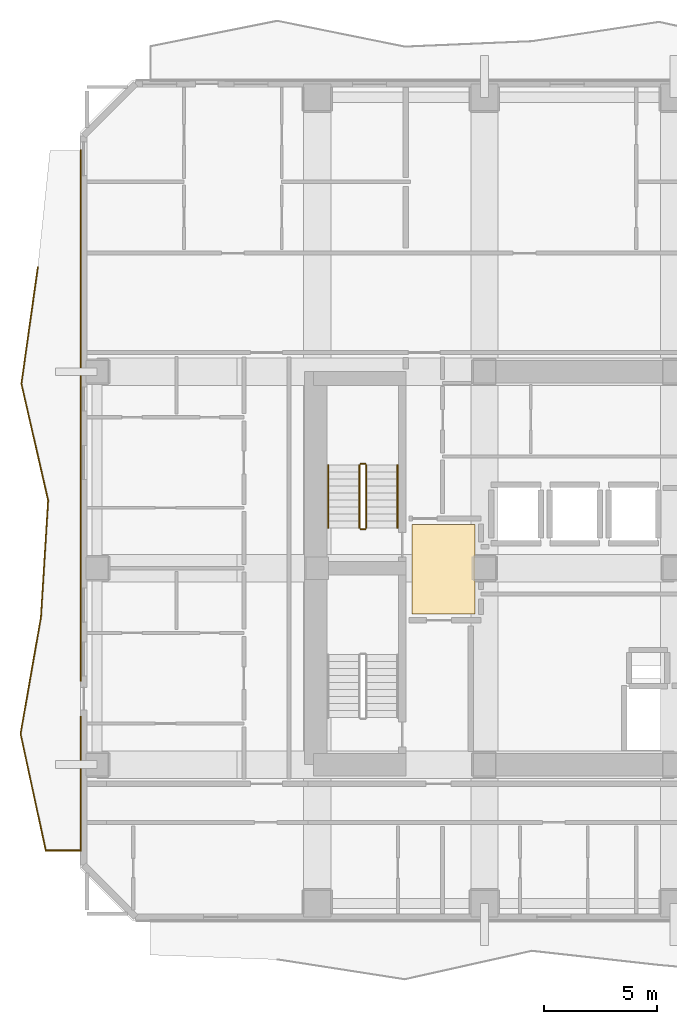
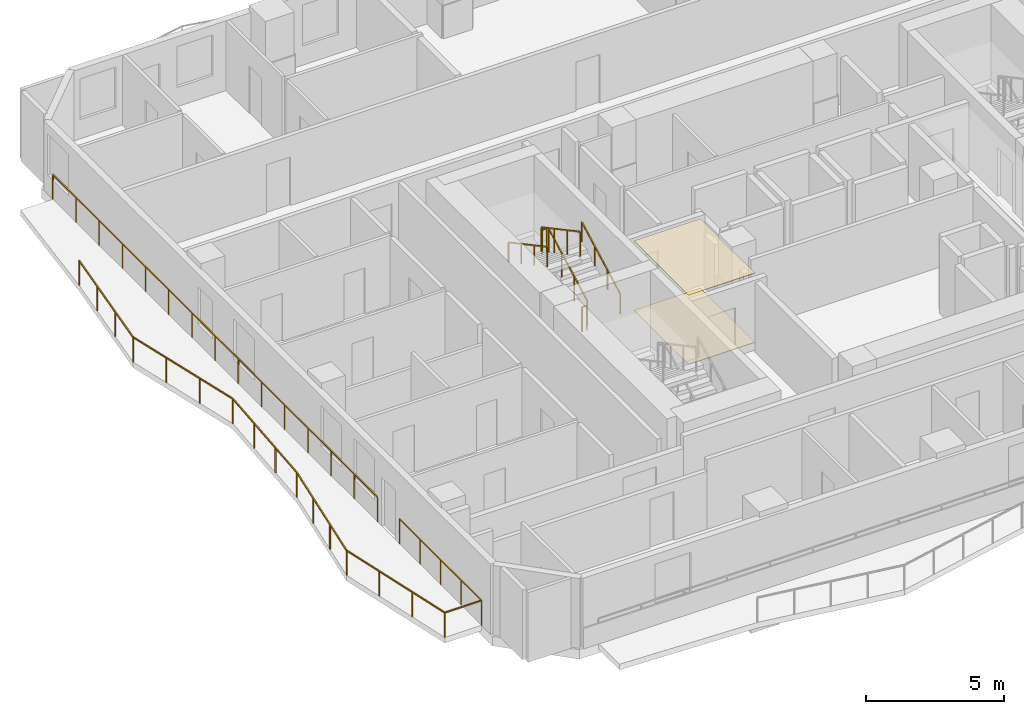
# One storey, part 9 of 11: 8 railings, 2 coverings.
"""IFC4 building model written with IfcOpenShell, lengths in metres."""

from ifc_helpers import new_model, si_unit, direction, frame, origin, origin_2d, place, context, subcontext, project, spatial, polyline, rectangle, outline, extrude, material, layer, layer_set, type_object, element, save


model = new_model("IFC4")

# Units and contexts
model_context = context("Model", 3, precision=1e-05, world=origin(), true_north=direction((0.0, 1.0)))
body_context = subcontext(model_context, "Body", "Model", "MODEL_VIEW")
ifc_project = project(units=[si_unit("LENGTHUNIT", "METRE"), si_unit("AREAUNIT", "SQUARE_METRE"), si_unit("VOLUMEUNIT", "CUBIC_METRE"), si_unit("PLANEANGLEUNIT", "RADIAN"), si_unit("MASSUNIT", "GRAM", prefix="KILO")], contexts=[model_context])

# Site, building, storey
site_placement = place(None, origin())
site = spatial("IfcSite", under=ifc_project, at=site_placement, CompositionType="ELEMENT")
building_placement = place(site_placement, origin())
building = spatial("IfcBuilding", under=site, at=building_placement, Name="Solanera Arch Residences", CompositionType="ELEMENT")
storey_placement = place(building_placement, frame((0.0, 0.0, 165.840087890625)))
storey = spatial("IfcBuildingStorey", under=building, at=storey_placement, Name="L48", CompositionType="ELEMENT", Elevation=165.840087890625)

# Railings
ifc_material_1 = material(Name="Steel S355 (ASTM A992 / A572 Grade 50)", Category="steel")
railing_type_1 = type_object("IfcRailingType", Name="Balustrade Railing BL-1100", PredefinedType="BALUSTRADE", material=ifc_material_1)
railing_1_placement = place(storey_placement, frame((1.02490234375, 44.032958984375, 0.0)))
element("IfcRailing", 1, at=railing_1_placement, inside=storey, type_object=railing_type_1, Name="L48 W Balcony Balustrade 1", PredefinedType="BALUSTRADE", context=body_context, shape_type="SweptSolid", body=[
    extrude(rectangle(XDim=0.048095703125, YDim=0.048095703125, at=origin_2d()), frame((0.0, 0.0, 1.09619140625), z_axis=(-0.13950148257, -0.990221862191, 0.0), x_axis=(0.990221862191, -0.13950148257, 0.0)), (0.0, 0.0, 1.0), 5.217041015625),
    extrude(rectangle(XDim=0.048095703125, YDim=0.048095703125, at=origin_2d()), frame((-0.727783203125, -5.166015625, 1.09619140625), z_axis=(0.223328750941, -0.97474318105, 0.0), x_axis=(0.97474318105, 0.223328750941, 0.0)), (0.0, 0.0, 1.0), 5.30078125),
    extrude(rectangle(XDim=0.048095703125, YDim=0.048095703125, at=origin_2d()), frame((0.4560546875, -10.3330078125, 1.09619140625), z_axis=(-0.061591404745, -0.998101447179, 0.0), x_axis=(0.998101447179, -0.061591404745, 0.0)), (0.0, 0.0, 1.0), 5.1767578125),
    extrude(rectangle(XDim=0.048095703125, YDim=0.048095703125, at=origin_2d()), frame((0.13720703125, -15.5, 1.09619140625), z_axis=(-0.172018950926, -0.985093640484, 0.0), x_axis=(0.985093640484, -0.172018950926, 0.0)), (0.0, 0.0, 1.0), 5.244140625),
    extrude(rectangle(XDim=0.048095703125, YDim=0.048095703125, at=origin_2d()), frame((-0.764892578125, -20.666015625, 1.09619140625), z_axis=(0.211288671614, -0.977423704054, 0.0), x_axis=(0.977423704054, 0.211288671614, 0.0)), (0.0, 0.0, 1.0), 5.286376953125),
    extrude(rectangle(XDim=0.048095703125, YDim=0.048095703125, at=origin_2d()), frame((0.35205078125, -25.8330078125, 1.09619140625), z_axis=(1.0, 0.0, 0.0), x_axis=(0.0, 1.0, 0.0)), (0.0, 0.0, 1.0), 1.54296875),
    extrude(rectangle(XDim=0.048095703125, YDim=0.048095703125, at=origin_2d()), frame((1.89501953125, -25.8330078125, 1.09619140625), z_axis=(0.0, 1.0, 0.0), x_axis=(-1.0, 0.0, 0.0)), (0.0, 0.0, 1.0), 5.926025390625),
    extrude(rectangle(XDim=0.0419921875, YDim=0.0419921875, at=origin_2d()), origin(), (0.0, 0.0, 1.0), 1.072021484375),
    extrude(rectangle(XDim=0.0419921875, YDim=0.0419921875, at=origin_2d()), frame((-0.24267578125, -1.721923828125, 0.0)), (0.0, 0.0, 1.0), 1.072021484375),
    extrude(rectangle(XDim=0.0419921875, YDim=0.0419921875, at=origin_2d()), frame((-0.485107421875, -3.444091796875, 0.0)), (0.0, 0.0, 1.0), 1.072021484375),
    extrude(rectangle(XDim=0.0419921875, YDim=0.0419921875, at=origin_2d()), frame((-0.727783203125, -5.166015625, 0.0)), (0.0, 0.0, 1.0), 1.072021484375),
    extrude(rectangle(XDim=0.0419921875, YDim=0.0419921875, at=origin_2d()), frame((-0.333251953125, -6.888427734375, 0.0)), (0.0, 0.0, 1.0), 1.072021484375),
    extrude(rectangle(XDim=0.0419921875, YDim=0.0419921875, at=origin_2d()), frame((0.0615234375, -8.610595703125, 0.0)), (0.0, 0.0, 1.0), 1.072021484375),
    extrude(rectangle(XDim=0.0419921875, YDim=0.0419921875, at=origin_2d()), frame((0.4560546875, -10.3330078125, 0.0)), (0.0, 0.0, 1.0), 1.072021484375),
    extrude(rectangle(XDim=0.0419921875, YDim=0.0419921875, at=origin_2d()), frame((0.349853515625, -12.055419921875, 0.0)), (0.0, 0.0, 1.0), 1.072021484375),
    extrude(rectangle(XDim=0.0419921875, YDim=0.0419921875, at=origin_2d()), frame((0.243408203125, -13.777587890625, 0.0)), (0.0, 0.0, 1.0), 1.072021484375),
    extrude(rectangle(XDim=0.0419921875, YDim=0.0419921875, at=origin_2d()), frame((0.13720703125, -15.5, 0.0)), (0.0, 0.0, 1.0), 1.072021484375),
    extrude(rectangle(XDim=0.0419921875, YDim=0.0419921875, at=origin_2d()), frame((-0.16357421875, -17.221923828125, 0.0)), (0.0, 0.0, 1.0), 1.072021484375),
    extrude(rectangle(XDim=0.0419921875, YDim=0.0419921875, at=origin_2d()), frame((-0.464111328125, -18.944091796875, 0.0)), (0.0, 0.0, 1.0), 1.072021484375),
    extrude(rectangle(XDim=0.0419921875, YDim=0.0419921875, at=origin_2d()), frame((-0.764892578125, -20.666015625, 0.0)), (0.0, 0.0, 1.0), 1.072021484375),
    extrude(rectangle(XDim=0.0419921875, YDim=0.0419921875, at=origin_2d()), frame((-0.392578125, -22.388427734375, 0.0)), (0.0, 0.0, 1.0), 1.072021484375),
    extrude(rectangle(XDim=0.0419921875, YDim=0.0419921875, at=origin_2d()), frame((-0.020263671875, -24.110595703125, 0.0)), (0.0, 0.0, 1.0), 1.072021484375),
    extrude(rectangle(XDim=0.0419921875, YDim=0.0419921875, at=origin_2d()), frame((0.35205078125, -25.8330078125, 0.0)), (0.0, 0.0, 1.0), 1.072021484375),
    extrude(rectangle(XDim=0.0419921875, YDim=0.0419921875, at=origin_2d()), frame((1.89501953125, -25.8330078125, 0.0)), (0.0, 0.0, 1.0), 1.072021484375),
    extrude(rectangle(XDim=0.0419921875, YDim=0.0419921875, at=origin_2d()), frame((1.89501953125, -24.3515625, 0.0)), (0.0, 0.0, 1.0), 1.072021484375),
    extrude(rectangle(XDim=0.0419921875, YDim=0.0419921875, at=origin_2d()), frame((1.89501953125, -22.8701171875, 0.0)), (0.0, 0.0, 1.0), 1.072021484375),
    extrude(rectangle(XDim=0.0419921875, YDim=0.0419921875, at=origin_2d()), frame((1.89501953125, -21.388427734375, 0.0)), (0.0, 0.0, 1.0), 1.072021484375),
    extrude(rectangle(XDim=0.0419921875, YDim=0.0419921875, at=origin_2d()), frame((1.89501953125, -19.906982421875, 0.0)), (0.0, 0.0, 1.0), 1.072021484375),
])
railing_2_placement = place(storey_placement, frame((2.919921875, 25.72607421875, 0.0)))
element("IfcRailing", 2, at=railing_2_placement, inside=storey, type_object=railing_type_1, Name="L48 W Balcony Balustrade 2", PredefinedType="BALUSTRADE", context=body_context, shape_type="SweptSolid", body=[
    extrude(rectangle(XDim=0.048095703125, YDim=0.048095703125, at=origin_2d()), frame((0.0, 0.0, 1.09619140625), z_axis=(0.0, 1.0, 0.0), x_axis=(-1.0, 0.0, 0.0)), (0.0, 0.0, 1.0), 23.473876953125),
    extrude(rectangle(XDim=0.0419921875, YDim=0.0419921875, at=origin_2d()), origin(), (0.0, 0.0, 1.0), 1.072021484375),
    extrude(rectangle(XDim=0.0419921875, YDim=0.0419921875, at=origin_2d()), frame((0.0, 1.6767578125, 0.0)), (0.0, 0.0, 1.0), 1.072021484375),
    extrude(rectangle(XDim=0.0419921875, YDim=0.0419921875, at=origin_2d()), frame((0.0, 3.353515625, 0.0)), (0.0, 0.0, 1.0), 1.072021484375),
    extrude(rectangle(XDim=0.0419921875, YDim=0.0419921875, at=origin_2d()), frame((0.0, 5.030029296875, 0.0)), (0.0, 0.0, 1.0), 1.072021484375),
    extrude(rectangle(XDim=0.0419921875, YDim=0.0419921875, at=origin_2d()), frame((0.0, 6.706787109375, 0.0)), (0.0, 0.0, 1.0), 1.072021484375),
    extrude(rectangle(XDim=0.0419921875, YDim=0.0419921875, at=origin_2d()), frame((0.0, 8.383544921875, 0.0)), (0.0, 0.0, 1.0), 1.072021484375),
    extrude(rectangle(XDim=0.0419921875, YDim=0.0419921875, at=origin_2d()), frame((0.0, 10.060302734375, 0.0)), (0.0, 0.0, 1.0), 1.072021484375),
    extrude(rectangle(XDim=0.0419921875, YDim=0.0419921875, at=origin_2d()), frame((0.0, 11.73681640625, 0.0)), (0.0, 0.0, 1.0), 1.072021484375),
    extrude(rectangle(XDim=0.0419921875, YDim=0.0419921875, at=origin_2d()), frame((0.0, 13.41357421875, 0.0)), (0.0, 0.0, 1.0), 1.072021484375),
    extrude(rectangle(XDim=0.0419921875, YDim=0.0419921875, at=origin_2d()), frame((0.0, 15.09033203125, 0.0)), (0.0, 0.0, 1.0), 1.072021484375),
    extrude(rectangle(XDim=0.0419921875, YDim=0.0419921875, at=origin_2d()), frame((0.0, 16.76708984375, 0.0)), (0.0, 0.0, 1.0), 1.072021484375),
    extrude(rectangle(XDim=0.0419921875, YDim=0.0419921875, at=origin_2d()), frame((0.0, 18.44384765625, 0.0)), (0.0, 0.0, 1.0), 1.072021484375),
    extrude(rectangle(XDim=0.0419921875, YDim=0.0419921875, at=origin_2d()), frame((0.0, 20.120361328125, 0.0)), (0.0, 0.0, 1.0), 1.072021484375),
    extrude(rectangle(XDim=0.0419921875, YDim=0.0419921875, at=origin_2d()), frame((0.0, 21.797119140625, 0.0)), (0.0, 0.0, 1.0), 1.072021484375),
    extrude(rectangle(XDim=0.0419921875, YDim=0.0419921875, at=origin_2d()), frame((0.0, 23.473876953125, 0.0)), (0.0, 0.0, 1.0), 1.072021484375),
])

# Covering
ifc_material_2 = material(Name="Porcelain Acoustic Floor Tile", Category="ceramic")
ifc_layer_1 = layer(ifc_material_2, 0.02001953125)
ifc_layer_set_1 = layer_set([ifc_layer_1], Name="Porcelain Acoustic Floor Tile")
covering_type_1 = type_object("IfcCoveringType", Name="Porcelain Acoustic Floor Finish FLR-20", PredefinedType="FLOORING", material=ifc_layer_set_1)
covering_1_placement = place(storey_placement, origin())
element("IfcCovering", 3, at=covering_1_placement, inside=storey, type_object=covering_type_1, Name="L48-FFL-W Porcelain Floor Finish", PredefinedType="FLOORING", context=body_context, shape_type="SweptSolid", body=[
    extrude(outline(polyline([(20.375, 28.675048828125), (17.594970703125, 28.675048828125), (17.594970703125, 32.625), (20.375, 32.625), (20.375, 28.675048828125)])), origin(), (0.0, 0.0, 1.0), 0.02001953125),
])

# Railings
ifc_material_3 = material(Name="Steel S355 (ASTM A992 / A572 Grade 50)", Category="steel")
railing_type_2 = type_object("IfcRailingType", Name="Stair Guardrail GR-1100", PredefinedType="GUARDRAIL", material=ifc_material_3)
railing_3_placement = place(storey_placement, frame((15.570068359375, 32.47998046875, 0.15087890625)))
element("IfcRailing", 4, at=railing_3_placement, inside=storey, type_object=railing_type_2, Name="L48 ST-T1 stair guard 1", PredefinedType="GUARDRAIL", context=body_context, shape_type="SweptSolid", body=[
    extrude(rectangle(XDim=0.048095703125, YDim=0.048095703125, at=origin_2d()), frame((0.0, 0.0, 1.076171875), z_axis=(0.0, 0.881548766853, 0.472092969298), x_axis=(-1.0, 0.0, 0.0)), (0.0, 0.0, 1.0), 3.1650390625),
    extrude(rectangle(XDim=0.0419921875, YDim=0.0419921875, at=origin_2d()), origin(), (0.0, 0.0, 1.0), 1.052001953125),
    extrude(rectangle(XDim=0.0419921875, YDim=0.0419921875, at=origin_2d()), frame((0.0, 0.929931640625, 0.498046875)), (0.0, 0.0, 1.0), 1.052001953125),
    extrude(rectangle(XDim=0.0419921875, YDim=0.0419921875, at=origin_2d()), frame((0.0, 1.860107421875, 0.99609375)), (0.0, 0.0, 1.0), 1.052001953125),
    extrude(rectangle(XDim=0.0419921875, YDim=0.0419921875, at=origin_2d()), frame((0.0, 2.7900390625, 1.494140625)), (0.0, 0.0, 1.0), 1.052001953125),
])
railing_4_placement = place(storey_placement, frame((15.52001953125, 35.320068359375, 1.64501953125)))
element("IfcRailing", 5, at=railing_4_placement, inside=storey, type_object=railing_type_2, Name="L48 ST-T1 stair guard 2", PredefinedType="GUARDRAIL", context=body_context, shape_type="SweptSolid", body=[
    extrude(rectangle(XDim=0.048095703125, YDim=0.048095703125, at=origin_2d()), frame((0.0, 0.0, 1.076171875), z_axis=(-1.0, 0.0, 0.0), x_axis=(0.0, -1.0, 0.0)), (0.0, 0.0, 1.0), 0.199951171875),
    extrude(rectangle(XDim=0.0419921875, YDim=0.0419921875, at=origin_2d()), origin(), (0.0, 0.0, 1.0), 1.052001953125),
    extrude(rectangle(XDim=0.0419921875, YDim=0.0419921875, at=origin_2d()), frame((-0.199951171875, 0.0, 0.0)), (0.0, 0.0, 1.0), 1.052001953125),
])
railing_5_placement = place(storey_placement, frame((15.27001953125, 35.27001953125, 1.810791015625)))
element("IfcRailing", 6, at=railing_5_placement, inside=storey, type_object=railing_type_2, Name="L48 ST-T1 stair guard 3", PredefinedType="GUARDRAIL", context=body_context, shape_type="SweptSolid", body=[
    extrude(rectangle(XDim=0.048095703125, YDim=0.048095703125, at=origin_2d()), frame((0.0, 0.0, 1.076171875), z_axis=(0.0, -0.881548766853, 0.472092969298), x_axis=(1.0, 0.0, 0.0)), (0.0, 0.0, 1.0), 3.1650390625),
    extrude(rectangle(XDim=0.0419921875, YDim=0.0419921875, at=origin_2d()), origin(), (0.0, 0.0, 1.0), 1.052001953125),
    extrude(rectangle(XDim=0.0419921875, YDim=0.0419921875, at=origin_2d()), frame((0.0, -0.929931640625, 0.498046875)), (0.0, 0.0, 1.0), 1.052001953125),
    extrude(rectangle(XDim=0.0419921875, YDim=0.0419921875, at=origin_2d()), frame((0.0, -1.860107421875, 0.99609375)), (0.0, 0.0, 1.0), 1.052001953125),
    extrude(rectangle(XDim=0.0419921875, YDim=0.0419921875, at=origin_2d()), frame((0.0, -2.7900390625, 1.494140625)), (0.0, 0.0, 1.0), 1.052001953125),
])
railing_6_placement = place(storey_placement, frame((15.52001953125, 32.429931640625, -0.01513671875)))
element("IfcRailing", 7, at=railing_6_placement, inside=storey, type_object=railing_type_2, Name="L48 ST-T1 stair guard 4", PredefinedType="GUARDRAIL", context=body_context, shape_type="SweptSolid", body=[
    extrude(rectangle(XDim=0.048095703125, YDim=0.048095703125, at=origin_2d()), frame((0.0, 0.0, 1.076171875), z_axis=(-1.0, 0.0, 0.0), x_axis=(0.0, -1.0, 0.0)), (0.0, 0.0, 1.0), 0.199951171875),
    extrude(rectangle(XDim=0.0419921875, YDim=0.0419921875, at=origin_2d()), origin(), (0.0, 0.0, 1.0), 1.052001953125),
    extrude(rectangle(XDim=0.0419921875, YDim=0.0419921875, at=origin_2d()), frame((-0.199951171875, 0.0, 0.0)), (0.0, 0.0, 1.0), 1.052001953125),
])
ifc_material_4 = material(Name="Steel S355 (ASTM A992 / A572 Grade 50)", Category="steel")
railing_type_3 = type_object("IfcRailingType", Name="Stair Wall Handrail HR-920", PredefinedType="HANDRAIL", material=ifc_material_4)
railing_7_placement = place(storey_placement, frame((16.949951171875, 32.47998046875, 0.166015625)))
element("IfcRailing", 8, at=railing_7_placement, inside=storey, type_object=railing_type_3, Name="L48 ST-T1 stair handrail 1", PredefinedType="HANDRAIL", context=body_context, shape_type="SweptSolid", body=[
    extrude(rectangle(XDim=0.048095703125, YDim=0.048095703125, at=origin_2d()), frame((0.0, 0.0, 0.8759765625), z_axis=(0.0, 0.881580869306, 0.472033018838), x_axis=(-1.0, 0.0, 0.0)), (0.0, 0.0, 1.0), 3.164794921875),
    extrude(rectangle(XDim=0.0419921875, YDim=0.0419921875, at=origin_2d()), origin(), (0.0, 0.0, 1.0), 0.851806640625),
    extrude(rectangle(XDim=0.0419921875, YDim=0.0419921875, at=origin_2d()), frame((0.0, 0.929931640625, 0.498046875)), (0.0, 0.0, 1.0), 0.851806640625),
    extrude(rectangle(XDim=0.0419921875, YDim=0.0419921875, at=origin_2d()), frame((0.0, 1.860107421875, 0.995849609375)), (0.0, 0.0, 1.0), 0.851806640625),
    extrude(rectangle(XDim=0.0419921875, YDim=0.0419921875, at=origin_2d()), frame((0.0, 2.7900390625, 1.493896484375)), (0.0, 0.0, 1.0), 0.851806640625),
])
railing_8_placement = place(storey_placement, frame((13.889892578125, 35.27001953125, 1.825927734375)))
element("IfcRailing", 9, at=railing_8_placement, inside=storey, type_object=railing_type_3, Name="L48 ST-T1 stair handrail 2", PredefinedType="HANDRAIL", context=body_context, shape_type="SweptSolid", body=[
    extrude(rectangle(XDim=0.048095703125, YDim=0.048095703125, at=origin_2d()), frame((0.0, 0.0, 0.8759765625), z_axis=(0.0, -0.881580869306, 0.472033018838), x_axis=(1.0, 0.0, 0.0)), (0.0, 0.0, 1.0), 3.164794921875),
    extrude(rectangle(XDim=0.0419921875, YDim=0.0419921875, at=origin_2d()), origin(), (0.0, 0.0, 1.0), 0.851806640625),
    extrude(rectangle(XDim=0.0419921875, YDim=0.0419921875, at=origin_2d()), frame((0.0, -0.929931640625, 0.498046875)), (0.0, 0.0, 1.0), 0.851806640625),
    extrude(rectangle(XDim=0.0419921875, YDim=0.0419921875, at=origin_2d()), frame((0.0, -1.860107421875, 0.995849609375)), (0.0, 0.0, 1.0), 0.851806640625),
    extrude(rectangle(XDim=0.0419921875, YDim=0.0419921875, at=origin_2d()), frame((0.0, -2.7900390625, 1.493896484375)), (0.0, 0.0, 1.0), 0.851806640625),
])

# Covering
ifc_material_5 = material(Name="Mineral Fibre Acoustic Ceiling Board", Category="gypsum")
ifc_layer_2 = layer(ifc_material_5, 0.02490234375)
ifc_layer_set_2 = layer_set([ifc_layer_2], Name="Mineral Fibre Acoustic Ceiling Board")
covering_type_2 = type_object("IfcCoveringType", Name="Suspended Acoustic Ceiling Board CLG-25", PredefinedType="CEILING", material=ifc_layer_set_2)
covering_2_placement = place(storey_placement, frame((0.0, 0.0, 3.054931640625)))
element("IfcCovering", 10, at=covering_2_placement, inside=storey, type_object=covering_type_2, Name="L48-FFL-W Acoustic Ceiling", PredefinedType="CEILING", context=body_context, shape_type="SweptSolid", body=[
    extrude(outline(polyline([(20.375, 28.675048828125), (17.594970703125, 28.675048828125), (17.594970703125, 32.625), (20.375, 32.625), (20.375, 28.675048828125)])), origin(), (0.0, 0.0, 1.0), 0.02490234375),
])

save(model, "model.ifc")
